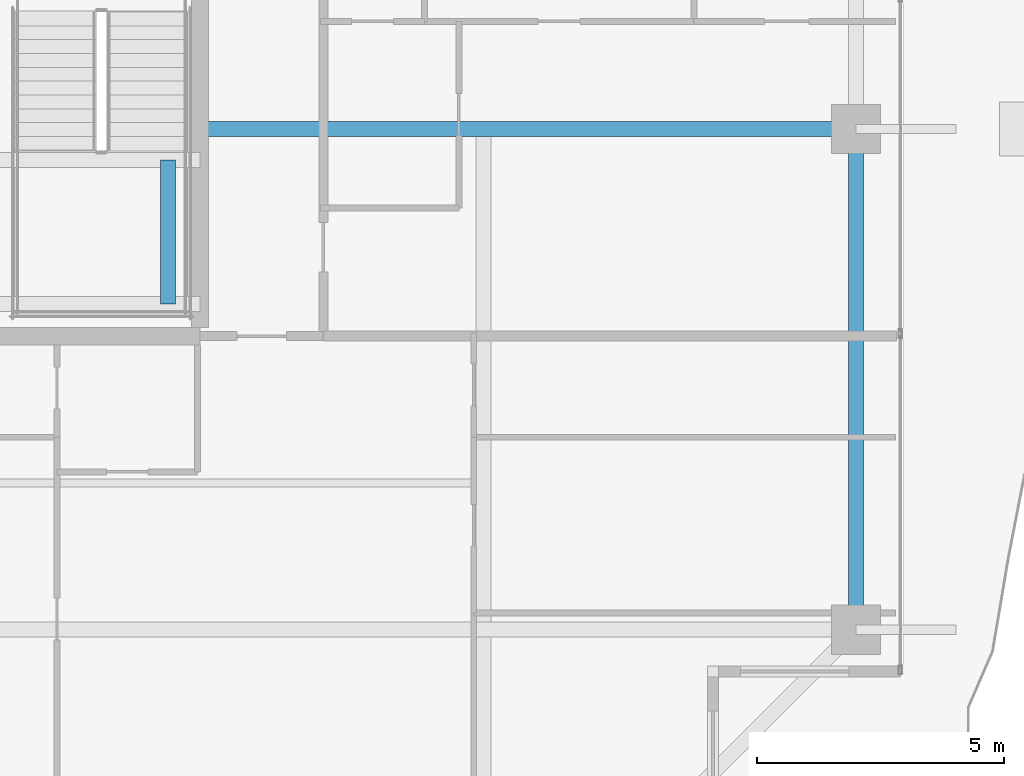
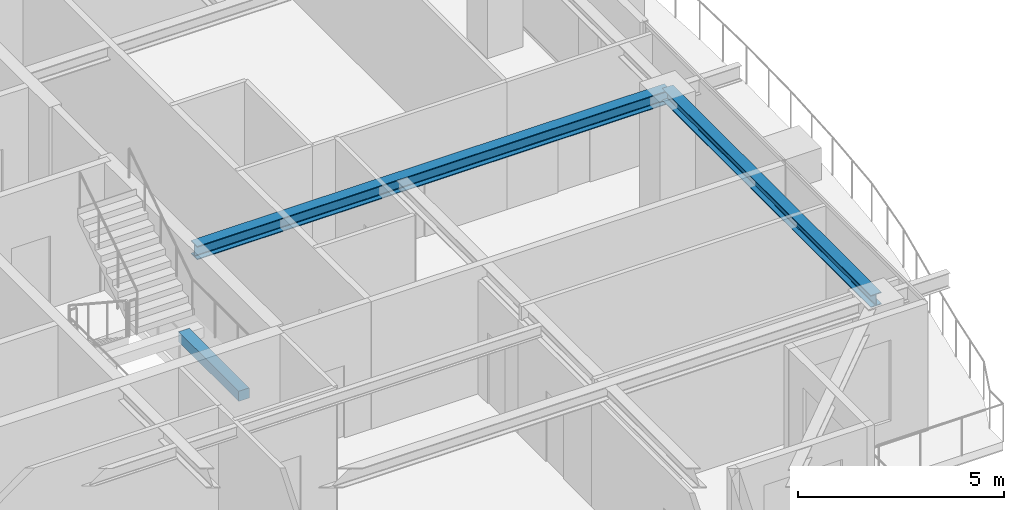
# One storey, part 14 of 41: 3 beams.
"""IFC4 building model written with IfcOpenShell, lengths in metres."""

from ifc_helpers import new_model, si_unit, direction, frame, origin, origin_2d, place, context, subcontext, project, spatial, rectangle, i_section, extrude, source, transform, mapped, material, material_profile, profile_set, type_object, element, save


model = new_model("IFC4")

# Units and contexts
model_context = context("Model", 3, precision=1e-05, world=origin(), true_north=direction((0.0, 1.0)))
body_context = subcontext(model_context, "Body", "Model", "MODEL_VIEW")
ifc_project = project(units=[si_unit("LENGTHUNIT", "METRE"), si_unit("AREAUNIT", "SQUARE_METRE"), si_unit("VOLUMEUNIT", "CUBIC_METRE"), si_unit("PLANEANGLEUNIT", "RADIAN"), si_unit("MASSUNIT", "GRAM", prefix="KILO")], contexts=[model_context])

# Site, building, storey
site_placement = place(None, origin())
site = spatial("IfcSite", under=ifc_project, at=site_placement, CompositionType="ELEMENT")
building_placement = place(site_placement, origin())
building = spatial("IfcBuilding", under=site, at=building_placement, Name="Serunith Strait Residences", CompositionType="ELEMENT")
storey_placement = place(building_placement, frame((0.0, 0.0, 301.550048828125)))
storey = spatial("IfcBuildingStorey", under=building, at=storey_placement, Name="L75", CompositionType="ELEMENT", Elevation=301.550048828125)

# Beams
ifc_material_1 = material(Name="Steel S355J2", Category="steel")
ifc_material_profile_1 = material_profile(ifc_material_1, i_section(OverallWidth=0.300048828125, OverallDepth=0.39990234375, WebThickness=0.013427734375, FlangeThickness=0.02392578125, FilletRadius=0.027099609375, at=origin_2d()), Name="HEB 400")
ifc_profile_set_1 = profile_set([ifc_material_profile_1], Name="Steel S355J2")
beam_type_1 = type_object("IfcBeamType", Name="BM-HEB400", PredefinedType="BEAM", material=ifc_profile_set_1)
shared_shape_1 = source(origin(), body_context, "Body", "SweptSolid", [
    extrude(i_section(OverallWidth=0.300048828125, OverallDepth=0.39990234375, WebThickness=0.013427734375, FlangeThickness=0.02392578125, FilletRadius=0.027099609375, at=origin_2d()), origin(), (0.0, 0.0, 1.0), 13.300048828125),
])
beam_1_placement = place(storey_placement, frame((41.39990234375, 21.0, 3.5869140625), z_axis=(1.0, 0.0, 0.0), x_axis=(0.0, 1.0, 0.0)))
element("IfcBeam", 1, at=beam_1_placement, inside=storey, type_object=beam_type_1, Name="L75 Primary Floor Girder TC-E2", PredefinedType="BEAM", context=body_context, shape_type="MappedRepresentation", body=[
    mapped(shared_shape_1, transform((0.0, 0.0, 0.0), scale=1.0)),
])
ifc_material_profile_2 = material_profile(ifc_material_1, i_section(OverallWidth=0.300048828125, OverallDepth=0.360107421875, WebThickness=0.012451171875, FlangeThickness=0.0224609375, FilletRadius=0.027099609375, at=origin_2d()), Name="HEB 360")
ifc_profile_set_2 = profile_set([ifc_material_profile_2], Name="Steel S355J2")
beam_type_2 = type_object("IfcBeamType", Name="BM-HEB360", PredefinedType="BEAM", material=ifc_profile_set_2)
shared_shape_2 = source(origin(), body_context, "Body", "SweptSolid", [
    extrude(i_section(OverallWidth=0.300048828125, OverallDepth=0.360107421875, WebThickness=0.012451171875, FlangeThickness=0.0224609375, FilletRadius=0.027099609375, at=origin_2d()), origin(), (0.0, 0.0, 1.0), 10.14990234375),
])
beam_2_placement = place(storey_placement, frame((54.699951171875, 10.85009765625, 3.60693359375), z_axis=(0.0, 1.0, 0.0), x_axis=(-1.0, 0.0, 0.0)))
element("IfcBeam", 2, at=beam_2_placement, inside=storey, type_object=beam_type_2, Name="L75 Perimeter Ring Beam 05", PredefinedType="BEAM", context=body_context, shape_type="MappedRepresentation", body=[
    mapped(shared_shape_2, transform((0.0, 0.0, 0.0), scale=1.0)),
])
ifc_material_2 = material(Name="Concrete C60/75", Category="concrete")
ifc_material_profile_3 = material_profile(ifc_material_2, rectangle(XDim=0.300048828125, YDim=0.300048828125, at=origin_2d()), Name="RC 300x300")
ifc_profile_set_3 = profile_set([ifc_material_profile_3], Name="Concrete C60/75")
beam_type_3 = type_object("IfcBeamType", Name="BM-LAND-300x300", PredefinedType="BEAM", material=ifc_profile_set_3)
shared_shape_3 = source(origin(), body_context, "Body", "SweptSolid", [
    extrude(rectangle(XDim=0.300048828125, YDim=0.300048828125, at=origin_2d()), origin(), (0.0, 0.0, 1.0), 2.920166015625),
])
beam_3_placement = place(storey_placement, frame((40.75, 17.449951171875, 1.675048828125), z_axis=(0.0, 1.0, 0.0), x_axis=(-1.0, 0.0, 0.0)))
element("IfcBeam", 3, at=beam_3_placement, inside=storey, type_object=beam_type_3, Name="L75 ST-2 Landing Transverse Tie Beam", PredefinedType="BEAM", context=body_context, shape_type="MappedRepresentation", body=[
    mapped(shared_shape_3, transform((0.0, 0.0, 0.0), scale=1.0)),
])

save(model, "model.ifc")
